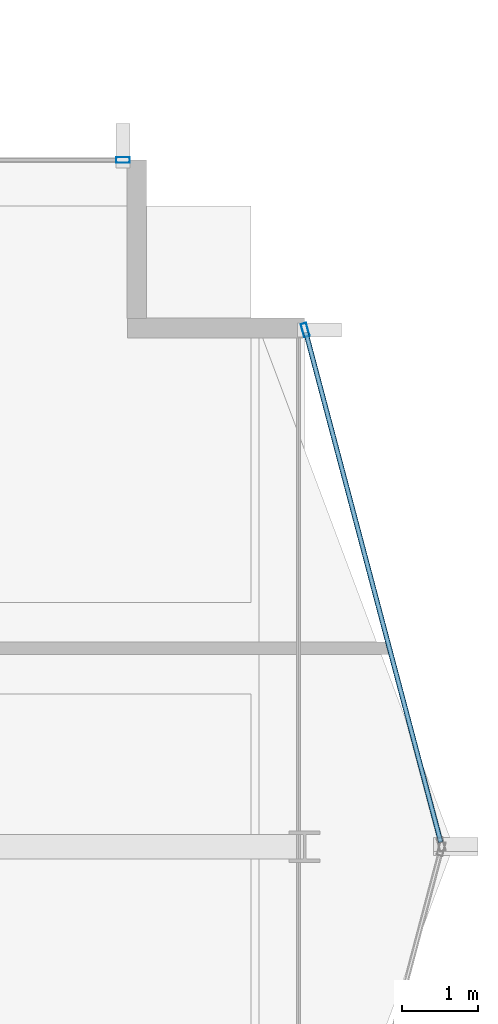
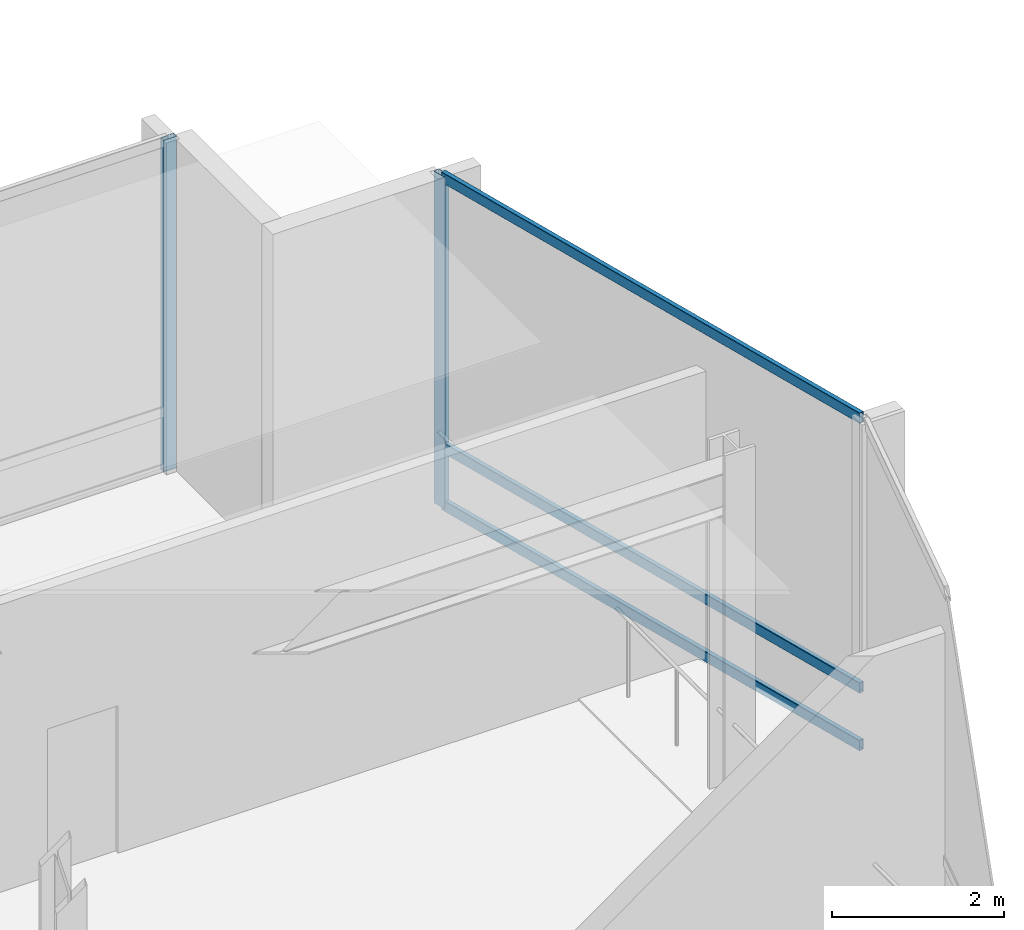
# One storey, part 15 of 29: 5 members, 2 elements without a shape of their own.
"""IFC4 building model written with IfcOpenShell, lengths in metres."""

from ifc_helpers import new_model, si_unit, direction, frame, origin, origin_2d, place, context, subcontext, project, spatial, hollow_rectangle, extrude, material, layer, layer_set, material_profile, profile_set, type_object, element, aggregate, save


model = new_model("IFC4")

# Units and contexts
model_context = context("Model", 3, precision=1e-05, world=origin(), true_north=direction((0.0, 1.0)))
body_context = subcontext(model_context, "Body", "Model", "MODEL_VIEW")
ifc_project = project(units=[si_unit("LENGTHUNIT", "METRE"), si_unit("AREAUNIT", "SQUARE_METRE"), si_unit("VOLUMEUNIT", "CUBIC_METRE"), si_unit("PLANEANGLEUNIT", "RADIAN"), si_unit("MASSUNIT", "GRAM", prefix="KILO")], contexts=[model_context])

# Site, building, storey
site_placement = place(None, origin())
site = spatial("IfcSite", under=ifc_project, at=site_placement, CompositionType="ELEMENT")
building_placement = place(site_placement, origin())
building = spatial("IfcBuilding", under=site, at=building_placement, Name="Solvaryn Broadcast Tower", CompositionType="ELEMENT")
storey_placement = place(building_placement, frame((0.0, 0.0, 169.199951171875)))
storey = spatial("IfcBuildingStorey", under=building, at=storey_placement, Name="L42", CompositionType="ELEMENT", Elevation=169.199951171875)

# Curtain wall, member
ifc_material_1 = material(Name="Aluminium and Terracotta Unitised Curtain Wall", Category="masonry")
ifc_layer = layer(ifc_material_1, 0.25)
ifc_layer_set = layer_set([ifc_layer], Name="CW-SYS4-SKYGARDEN")
curtain_wall_type = type_object("IfcCurtainWallType", Name="CW-SYS4-SKYGARDEN", PredefinedType="NOTDEFINED", material=ifc_layer_set)
curtain_wall_1_placement = place(storey_placement, origin())
curtain_wall_1 = element("IfcCurtainWall", 1, at=curtain_wall_1_placement, inside=storey, type_object=curtain_wall_type, Name="L42 Curtain Wall ET1", PredefinedType="NOTDEFINED")
ifc_material_2 = material(Name="Anodised Aluminium 6063-T6", Category="aluminium")
ifc_material_profile_1 = material_profile(ifc_material_2, hollow_rectangle(XDim=0.074951171875, YDim=0.179931640625, WallThickness=0.00390625, InnerFilletRadius=0.00390625, OuterFilletRadius=0.008056640625, at=origin_2d()))
ifc_profile_set_1 = profile_set([ifc_material_profile_1], Name="Anodised Aluminium 6063-T6")
member_type_1 = type_object("IfcMemberType", Name="CW-MUL-180", PredefinedType="MULLION", material=ifc_profile_set_1)
member_1_placement = place(storey_placement, frame((54.007568359375, 24.77099609375, 0.0), z_axis=(0.0, 0.0, 1.0), x_axis=(0.966705227863, 0.25589256031, 0.0)))
member_1 = element("IfcMember", 2, at=member_1_placement, type_object=member_type_1, Name="CWS4 mullion 1", PredefinedType="MULLION", context=body_context, shape_type="SweptSolid", body=[
    extrude(hollow_rectangle(XDim=0.074951171875, YDim=0.179931640625, WallThickness=0.00390625, InnerFilletRadius=0.00390625, OuterFilletRadius=0.008056640625, at=origin_2d()), origin(), (0.0, 0.0, 1.0), 4.719970703125),
])

curtain_wall_2_placement = place(storey_placement, origin())
curtain_wall_2 = element("IfcCurtainWall", 3, at=curtain_wall_2_placement, inside=storey, type_object=curtain_wall_type, Name="L42 Curtain Wall IH", PredefinedType="NOTDEFINED")
member_2_placement = place(storey_placement, frame((51.6201171875, 27.0, 0.0), z_axis=(0.0, 0.0, 1.0), x_axis=(0.0, 1.0, 0.0)))
member_2 = element("IfcMember", 4, at=member_2_placement, type_object=member_type_1, Name="CWS4 mullion 2", PredefinedType="MULLION", context=body_context, shape_type="SweptSolid", body=[
    extrude(hollow_rectangle(XDim=0.074951171875, YDim=0.179931640625, WallThickness=0.00390625, InnerFilletRadius=0.00390625, OuterFilletRadius=0.008056640625, at=origin_2d()), origin(), (0.0, 0.0, 1.0), 4.719970703125),
])
aggregate(curtain_wall_2, [member_2])

# Member
ifc_material_3 = material(Name="Anodised Aluminium 6063-T6", Category="aluminium")
ifc_material_profile_2 = material_profile(ifc_material_3, hollow_rectangle(XDim=0.06494140625, YDim=0.14990234375, WallThickness=0.00390625, InnerFilletRadius=0.00390625, OuterFilletRadius=0.008056640625, at=origin_2d()))
ifc_profile_set_2 = profile_set([ifc_material_profile_2], Name="Anodised Aluminium 6063-T6")
member_type_2 = type_object("IfcMemberType", Name="CW-TRN-150", PredefinedType="USERDEFINED", material=ifc_profile_set_2)
member_3_placement = place(storey_placement, frame((54.015380859375, 24.741943359375, 0.030029296875), z_axis=(0.255897413051, -0.966703943301, 0.0), x_axis=(0.966703943301, 0.255897413051, 0.0)))
member_3 = element("IfcMember", 5, at=member_3_placement, type_object=member_type_2, Name="CWS4 transom 1.1", ObjectType="TRANSOM", PredefinedType="USERDEFINED", context=body_context, shape_type="SweptSolid", body=[
    extrude(hollow_rectangle(XDim=0.06494140625, YDim=0.14990234375, WallThickness=0.00390625, InnerFilletRadius=0.00390625, OuterFilletRadius=0.008056640625, at=origin_2d()), origin(), (0.0, 0.0, 1.0), 6.9140625),
])

member_4_placement = place(storey_placement, frame((54.015380859375, 24.741943359375, 0.85009765625), z_axis=(0.255897413051, -0.966703943301, 0.0), x_axis=(0.966703943301, 0.255897413051, 0.0)))
member_4 = element("IfcMember", 6, at=member_4_placement, type_object=member_type_2, Name="CWS4 transom 1.2", ObjectType="TRANSOM", PredefinedType="USERDEFINED", context=body_context, shape_type="SweptSolid", body=[
    extrude(hollow_rectangle(XDim=0.06494140625, YDim=0.14990234375, WallThickness=0.00390625, InnerFilletRadius=0.00390625, OuterFilletRadius=0.008056640625, at=origin_2d()), origin(), (0.0, 0.0, 1.0), 6.9140625),
])

member_5_placement = place(storey_placement, frame((54.015380859375, 24.741943359375, 4.68994140625), z_axis=(0.255897413051, -0.966703943301, 0.0), x_axis=(0.966703943301, 0.255897413051, 0.0)))
member_5 = element("IfcMember", 7, at=member_5_placement, type_object=member_type_2, Name="CWS4 transom 1.3", ObjectType="TRANSOM", PredefinedType="USERDEFINED", context=body_context, shape_type="SweptSolid", body=[
    extrude(hollow_rectangle(XDim=0.06494140625, YDim=0.14990234375, WallThickness=0.00390625, InnerFilletRadius=0.00390625, OuterFilletRadius=0.008056640625, at=origin_2d()), origin(), (0.0, 0.0, 1.0), 6.9140625),
])

aggregate(curtain_wall_1, [member_1, member_3, member_4, member_5])

save(model, "model.ifc")
